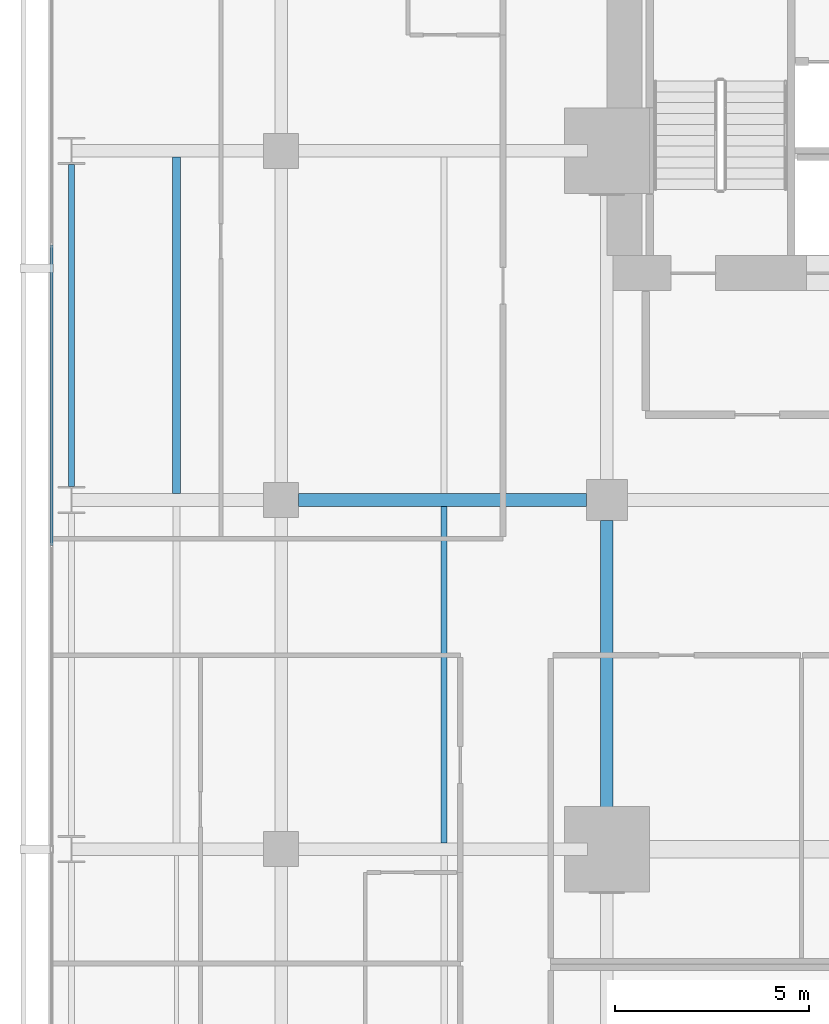
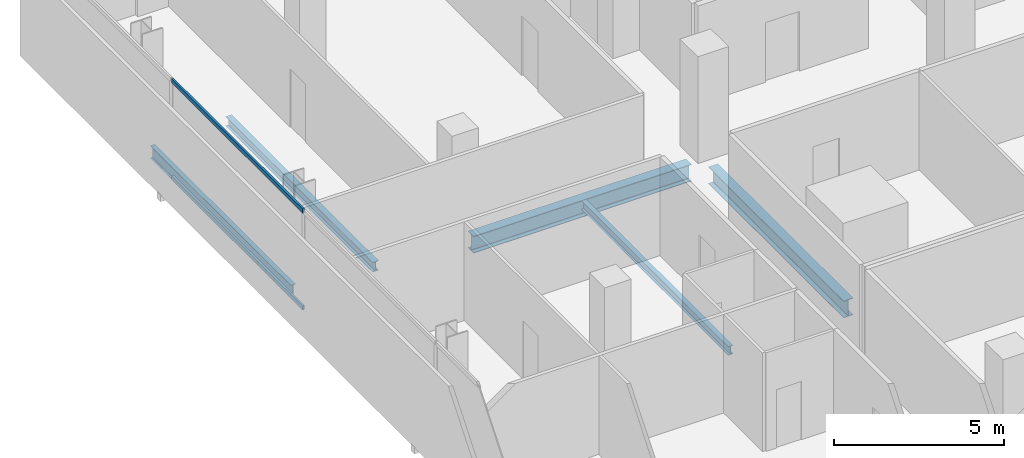
# One storey, part 22 of 39: 5 beams, 2 members, 1 element without a shape of its own.
"""IFC4 building model written with IfcOpenShell, lengths in metres."""

from ifc_helpers import new_model, si_unit, direction, frame, origin, origin_2d, place, context, subcontext, project, spatial, hollow_rectangle, i_section, extrude, material, layer, layer_set, material_profile, profile_set, type_object, element, aggregate, save


model = new_model("IFC4")

# Units and contexts
model_context = context("Model", 3, precision=1e-05, world=origin(), true_north=direction((0.0, 1.0)))
body_context = subcontext(model_context, "Body", "Model", "MODEL_VIEW")
ifc_project = project(units=[si_unit("LENGTHUNIT", "METRE"), si_unit("AREAUNIT", "SQUARE_METRE"), si_unit("VOLUMEUNIT", "CUBIC_METRE"), si_unit("PLANEANGLEUNIT", "RADIAN"), si_unit("MASSUNIT", "GRAM", prefix="KILO")], contexts=[model_context])

# Site, building, storey
site_placement = place(None, origin())
site = spatial("IfcSite", under=ifc_project, at=site_placement, CompositionType="ELEMENT")
building_placement = place(site_placement, origin())
building = spatial("IfcBuilding", under=site, at=building_placement, Name="Maruvema Waterfront Hotel and Observation Tower", CompositionType="ELEMENT")
storey_placement = place(building_placement, frame((0.0, 0.0, 111.64990234375)))
storey = spatial("IfcBuildingStorey", under=building, at=storey_placement, Name="L27", CompositionType="ELEMENT", Elevation=111.64990234375)

# Curtain wall, members
ifc_material_1 = material(Name="Anodised bronze aluminium and solar-control low-E IGU", Category="aluminium")
ifc_layer = layer(ifc_material_1, 0.159912109375, Name="Zone 1 Bronze Inner Thermal Curtain Wall System CW-02")
ifc_layer_set = layer_set([ifc_layer], Name="Anodised bronze aluminium and solar-control low-E IGU")
curtain_wall_type = type_object("IfcCurtainWallType", Name="Zone 1 Bronze Inner Thermal Curtain Wall System CW-02", PredefinedType="USERDEFINED", material=ifc_layer_set)
curtain_wall_placement = place(storey_placement, origin())
curtain_wall = element("IfcCurtainWall", 1, at=curtain_wall_placement, inside=storey, type_object=curtain_wall_type, Name="L27 Curtain Wall CW-L27-W", ObjectType="UNITISED CURTAIN WALL", PredefinedType="USERDEFINED")
ifc_material_2 = material(Name="Anodised architectural bronze aluminium", Category="aluminium")
ifc_material_profile_1 = material_profile(ifc_material_2, hollow_rectangle(XDim=0.070068359375, YDim=0.14990234375, WallThickness=0.00390625, at=origin_2d()), Name="ALU-T70x150")
ifc_profile_set_1 = profile_set([ifc_material_profile_1], Name="Anodised architectural bronze aluminium")
member_type = type_object("IfcMemberType", Name="Curtain Wall Horizontal Transom ALU-T70x150", PredefinedType="USERDEFINED", material=ifc_profile_set_1)
member_1_placement = place(storey_placement, frame((10.8798828125, 42.570068359375, 0.030029296875), z_axis=(0.0, -1.0, 0.0), x_axis=(1.0, 0.0, 0.0)))
member_1 = element("IfcMember", 2, at=member_1_placement, type_object=member_type, Name="CW-02 transom 2.1", ObjectType="TRANSOM", PredefinedType="USERDEFINED", context=body_context, shape_type="SweptSolid", body=[
    extrude(hollow_rectangle(XDim=0.070068359375, YDim=0.14990234375, WallThickness=0.00390625, at=origin_2d()), origin(), (0.0, 0.0, 1.0), 7.739990234375),
])
member_2_placement = place(storey_placement, frame((10.8798828125, 42.570068359375, 3.52001953125), z_axis=(0.0, -1.0, 0.0), x_axis=(1.0, 0.0, 0.0)))
member_2 = element("IfcMember", 3, at=member_2_placement, type_object=member_type, Name="CW-02 transom 2.2", ObjectType="TRANSOM", PredefinedType="USERDEFINED", context=body_context, shape_type="SweptSolid", body=[
    extrude(hollow_rectangle(XDim=0.070068359375, YDim=0.14990234375, WallThickness=0.00390625, at=origin_2d()), origin(), (0.0, 0.0, 1.0), 7.739990234375),
])
aggregate(curtain_wall, [member_1, member_2])

# Beams
ifc_material_3 = material(Name="Steel ASTM A572 Grade 50", Category="steel")
ifc_material_profile_2 = material_profile(ifc_material_3, i_section(OverallWidth=0.153076171875, OverallDepth=0.455078125, WebThickness=0.008056640625, FlangeThickness=0.01318359375, FilletRadius=0.014892578125, at=origin_2d()), Name="W460x60.0")
ifc_profile_set_2 = profile_set([ifc_material_profile_2], Name="Steel ASTM A572 Grade 50")
beam_type_1 = type_object("IfcBeamType", Name="Perimeter Spandrel Beam W460x60.0", PredefinedType="SPANDREL", material=ifc_profile_set_2)
beam_1_placement = place(storey_placement, frame((11.39990234375, 36.35009765625, -0.46728515625), z_axis=(0.0, 1.0, 0.0), x_axis=(-1.0, 0.0, 0.0)))
element("IfcBeam", 4, at=beam_1_placement, inside=storey, type_object=beam_type_1, Name="L27 Floor Girder NS-04", PredefinedType="SPANDREL", context=body_context, shape_type="SweptSolid", body=[
    extrude(i_section(OverallWidth=0.153076171875, OverallDepth=0.455078125, WebThickness=0.008056640625, FlangeThickness=0.01318359375, FilletRadius=0.014892578125, at=origin_2d()), origin(), (0.0, 0.0, 1.0), 8.2998046875),
])
ifc_material_4 = material(Name="Steel ASTM A572 Grade 50", Category="steel")
ifc_material_profile_3 = material_profile(ifc_material_4, i_section(OverallWidth=0.323974609375, OverallDepth=0.611083984375, WebThickness=0.0126953125, FlangeThickness=0.01904296875, FilletRadius=0.01806640625, at=origin_2d()), Name="W610x155.0")
ifc_profile_set_3 = profile_set([ifc_material_profile_3], Name="Steel ASTM A572 Grade 50")
beam_type_2 = type_object("IfcBeamType", Name="Primary Floor Girder W610x155.0", PredefinedType="BEAM", material=ifc_profile_set_3)
beam_2_placement = place(storey_placement, frame((17.25, 36.0, -0.54541015625), z_axis=(1.0, 0.0, 0.0), x_axis=(0.0, 1.0, 0.0)))
element("IfcBeam", 5, at=beam_2_placement, inside=storey, type_object=beam_type_2, Name="L27 Floor Girder EW-26", PredefinedType="BEAM", context=body_context, shape_type="SweptSolid", body=[
    extrude(i_section(OverallWidth=0.323974609375, OverallDepth=0.611083984375, WebThickness=0.0126953125, FlangeThickness=0.01904296875, FilletRadius=0.01806640625, at=origin_2d()), origin(), (0.0, 0.0, 1.0), 7.425048828125),
])
beam_3_placement = place(storey_placement, frame((25.199951171875, 27.5, -0.54541015625), z_axis=(0.0, 1.0, 0.0), x_axis=(-1.0, 0.0, 0.0)))
element("IfcBeam", 6, at=beam_3_placement, inside=storey, type_object=beam_type_2, Name="L27 Floor Girder NS-14", PredefinedType="BEAM", context=body_context, shape_type="SweptSolid", body=[
    extrude(i_section(OverallWidth=0.323974609375, OverallDepth=0.611083984375, WebThickness=0.0126953125, FlangeThickness=0.01904296875, FilletRadius=0.01806640625, at=origin_2d()), origin(), (0.0, 0.0, 1.0), 7.97509765625),
])
ifc_material_5 = material(Name="Steel ASTM A572 Grade 50", Category="steel")
ifc_material_profile_4 = material_profile(ifc_material_5, i_section(OverallWidth=0.1650390625, OverallDepth=0.31005859375, WebThickness=0.005859375, FlangeThickness=0.009765625, FilletRadius=0.012939453125, at=origin_2d()), Name="W310x38.7")
ifc_profile_set_4 = profile_set([ifc_material_profile_4], Name="Steel ASTM A572 Grade 50")
beam_type_3 = type_object("IfcBeamType", Name="Secondary Floor Joist W310x38.7", PredefinedType="JOIST", material=ifc_profile_set_4)
beam_4_placement = place(storey_placement, frame((21.0, 27.162109375, -0.39501953125), z_axis=(0.0, 1.0, 0.0), x_axis=(-1.0, 0.0, 0.0)))
element("IfcBeam", 7, at=beam_4_placement, inside=storey, type_object=beam_type_3, Name="L27 Secondary Floor Joist JS-08", PredefinedType="JOIST", context=body_context, shape_type="SweptSolid", body=[
    extrude(i_section(OverallWidth=0.1650390625, OverallDepth=0.31005859375, WebThickness=0.005859375, FlangeThickness=0.009765625, FilletRadius=0.012939453125, at=origin_2d()), origin(), (0.0, 0.0, 1.0), 8.67578125),
])
ifc_material_6 = material(Name="Steel ASTM A572 Grade 50", Category="steel")
ifc_material_profile_5 = material_profile(ifc_material_6, i_section(OverallWidth=0.202880859375, OverallDepth=0.346923828125, WebThickness=0.0078125, FlangeThickness=0.013427734375, FilletRadius=0.014892578125, at=origin_2d()), Name="W360x64.0")
ifc_profile_set_5 = profile_set([ifc_material_profile_5], Name="Steel ASTM A572 Grade 50")
beam_type_4 = type_object("IfcBeamType", Name="Secondary Floor Joist W360x64.0", PredefinedType="JOIST", material=ifc_profile_set_5)
beam_5_placement = place(storey_placement, frame((14.10009765625, 36.162109375, -0.413330078125), z_axis=(0.0, 1.0, 0.0), x_axis=(-1.0, 0.0, 0.0)))
element("IfcBeam", 8, at=beam_5_placement, inside=storey, type_object=beam_type_4, Name="L27 Secondary Floor Joist JS-04", PredefinedType="JOIST", context=body_context, shape_type="SweptSolid", body=[
    extrude(i_section(OverallWidth=0.202880859375, OverallDepth=0.346923828125, WebThickness=0.0078125, FlangeThickness=0.013427734375, FilletRadius=0.014892578125, at=origin_2d()), origin(), (0.0, 0.0, 1.0), 8.67578125),
])

save(model, "model.ifc")
